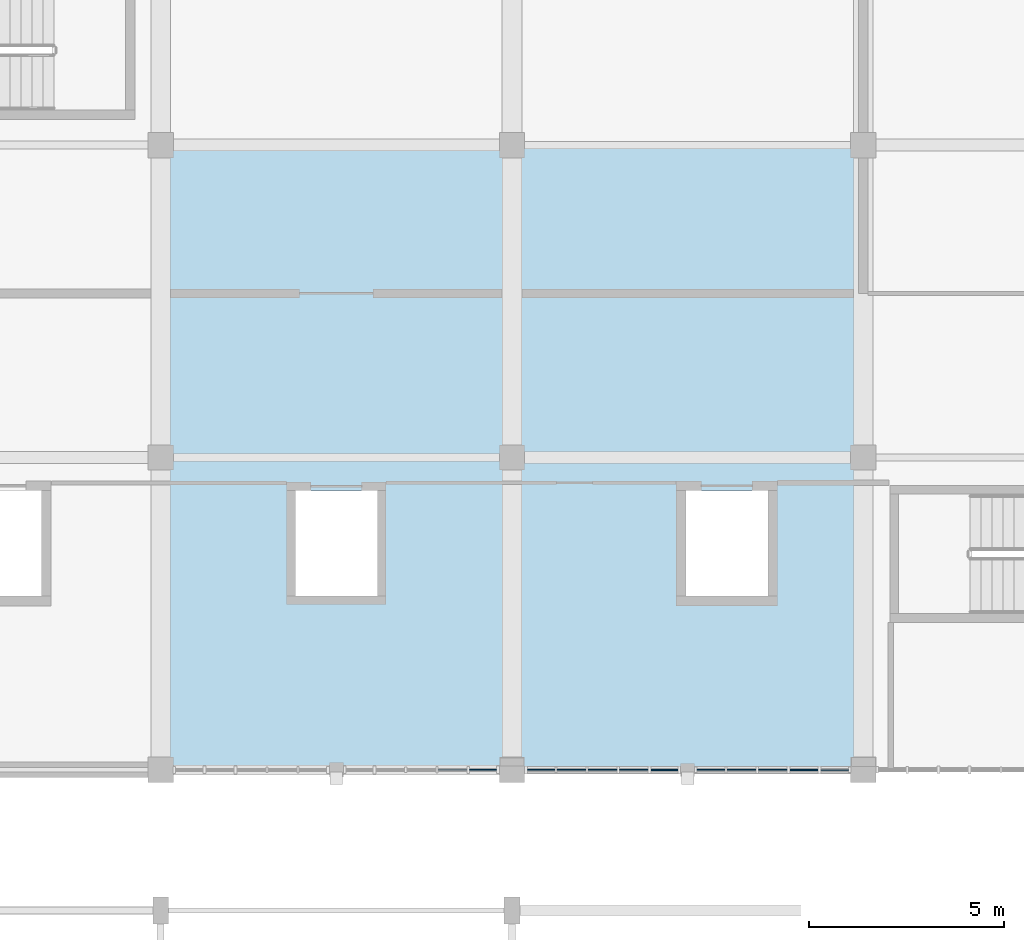
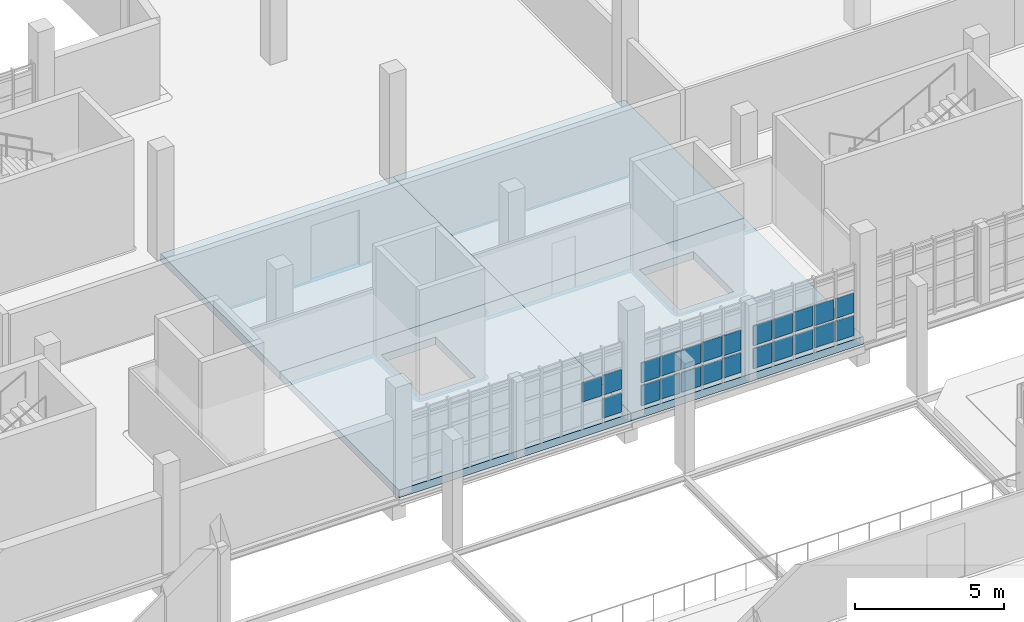
# One storey, part 80 of 125: 23 plates, 4 slabs, 3 elements without a shape of their own.
"""IFC4 building model written with IfcOpenShell, lengths in metres."""

import ifcopenshell
import ifcopenshell.guid

model = None  # the IFC model being written
_history = None  # IfcOwnerHistory: only IFC2X3 demands one
_inside = {}  # id of a spatial element -> (the spatial element, [elements in it])
_under = {}  # id of a project, library or spatial element -> (it, [spatial elements below it])
_declared = {}  # id of a project -> (the project, [libraries it declares])
_typed = {}  # id of a type object -> (the type object, [elements of that type])
_made_of = {}  # id of a material, layer set ... -> (it, [elements and type objects made of it])


def new_model(schema):
    """Start an empty IFC model of exactly this schema.

    Asked for "IFC4X3", IfcOpenShell would pick the latest addendum, in which some entities
    have other attributes; the version numbers below select the first issue.
    IFC2X3 requires an IfcOwnerHistory on every rooted entity: one is made here for all.
    """
    global model, _history
    if schema == "IFC4X3":
        model = ifcopenshell.file(schema_version=(4, 3, 0, 0))
    else:
        model = ifcopenshell.file(schema=schema)
    _inside.clear()
    _under.clear()
    _declared.clear()
    _typed.clear()
    _made_of.clear()
    _history = None
    if model.schema == "IFC2X3":
        org = make("IfcOrganization", Name="unknown")
        user = make(
            "IfcPersonAndOrganization",
            ThePerson=make("IfcPerson", FamilyName="unknown"),
            TheOrganization=org,
        )
        app = make(
            "IfcApplication",
            ApplicationDeveloper=org,
            Version="unknown",
            ApplicationFullName="unknown",
            ApplicationIdentifier="unknown",
        )
        _history = make(
            "IfcOwnerHistory",
            OwningUser=user,
            OwningApplication=app,
            ChangeAction="ADDED",
            CreationDate=0,
        )
    return model


def make(cls, **values):
    """One entity of the class cls with the attributes given. An attribute that is None is left unset."""
    return model.create_entity(
        cls, **{name: value for name, value in values.items() if value is not None}
    )


def rooted(cls, **values):
    """An entity with a GlobalId (a new one), such as an element, a storey or a relation."""
    return make(cls, GlobalId=ifcopenshell.guid.new(), OwnerHistory=_history, **values)


def si_unit(unit_type, name, prefix=None):
    """IfcSIUnit, for example si_unit("LENGTHUNIT", "METRE", prefix="MILLI")."""
    return make("IfcSIUnit", UnitType=unit_type, Prefix=prefix, Name=name)


def assignment(units):
    """IfcUnitAssignment: the units of a project."""
    return None if units is None else make("IfcUnitAssignment", Units=units)


def point(xyz):
    """IfcCartesianPoint."""
    return None if xyz is None else make("IfcCartesianPoint", Coordinates=xyz)


def direction(xyz):
    """IfcDirection."""
    return None if xyz is None else make("IfcDirection", DirectionRatios=xyz)


def frame(location, z_axis=None, x_axis=None):
    """IfcAxis2Placement3D, a coordinate frame: its origin and axes. An axis left out is left unset."""
    return make(
        "IfcAxis2Placement3D",
        Location=point(location),
        Axis=direction(z_axis),
        RefDirection=direction(x_axis),
    )


def frame_2d(location, x_axis=None):
    """IfcAxis2Placement2D, a coordinate frame in the plane: its origin and x axis."""
    return make(
        "IfcAxis2Placement2D", Location=point(location), RefDirection=direction(x_axis)
    )


def origin():
    """The frame at (0, 0, 0) with its axes left unset."""
    return frame((0.0, 0.0, 0.0))


def origin_2d():
    """The frame at (0, 0) in the plane with its x axis left unset."""
    return frame_2d((0.0, 0.0))


def place(relative_to, where):
    """IfcLocalPlacement: puts the frame where relative to a parent placement (None: the world)."""
    return make(
        "IfcLocalPlacement", PlacementRelTo=relative_to, RelativePlacement=where
    )


def context(
    kind, dimensions, precision=None, world=None, true_north=None, identifier=None
):
    """IfcGeometricRepresentationContext, for example the 3D "Model" context."""
    return make(
        "IfcGeometricRepresentationContext",
        ContextIdentifier=identifier,
        ContextType=kind,
        CoordinateSpaceDimension=dimensions,
        Precision=precision,
        WorldCoordinateSystem=world,
        TrueNorth=true_north,
    )


def subcontext(parent, identifier, kind, view, scale=None):
    """IfcGeometricRepresentationSubContext, for example "Body" below "Model"."""
    return make(
        "IfcGeometricRepresentationSubContext",
        ContextIdentifier=identifier,
        ContextType=kind,
        ParentContext=parent,
        TargetScale=scale,
        TargetView=view,
    )


def project(units=None, contexts=None):
    """IfcProject with its units and contexts."""
    return rooted(
        "IfcProject",
        Name="project",
        RepresentationContexts=contexts,
        UnitsInContext=assignment(units),
    )


def spatial(cls, under=None, at=None, **own):
    """A site, building, storey or space (cls), placed at a placement, below another one or the project."""
    s = rooted(cls, ObjectPlacement=at, **own)
    if under is not None:
        _under.setdefault(under.id(), (under, []))[1].append(s)
    return s


def polyline(points):
    """IfcPolyline through the points."""
    return make("IfcPolyline", Points=[point(p) for p in points])


def profile(cls, at=None, kind="AREA", **sizes):
    """A parametric profile (cls). Its sizes go by their IFC names, for example OverallWidth=200.0."""
    return make(cls, ProfileType=kind, Position=at, **sizes)


def rectangle(**sizes):
    """IfcRectangleProfileDef."""
    return profile("IfcRectangleProfileDef", **sizes)


def outline(outer, holes=None, kind="AREA"):
    """IfcArbitraryClosedProfileDef: a profile drawn as a closed curve; with holes, ...WithVoids."""
    if holes is None:
        return make("IfcArbitraryClosedProfileDef", ProfileType=kind, OuterCurve=outer)
    return make(
        "IfcArbitraryProfileDefWithVoids",
        ProfileType=kind,
        OuterCurve=outer,
        InnerCurves=holes,
    )


def extrude(swept, where, along, depth):
    """IfcExtrudedAreaSolid: the profile swept, set in the frame where, extruded along a direction by depth."""
    return make(
        "IfcExtrudedAreaSolid",
        SweptArea=swept,
        Position=where,
        ExtrudedDirection=direction(along),
        Depth=depth,
    )


def shape(context_of_items, identifier, shape_type, items):
    """IfcShapeRepresentation: the items that make up one representation, for example the "Body"."""
    return make(
        "IfcShapeRepresentation",
        ContextOfItems=context_of_items,
        RepresentationIdentifier=identifier,
        RepresentationType=shape_type,
        Items=items,
    )


def material(Name=None, Category=None):
    """IfcMaterial."""
    return make("IfcMaterial", Name=Name, Category=Category)


def layer(
    of_material, thickness, ventilated=None, Name=None, Category=None, Priority=None
):
    """IfcMaterialLayer: one layer of a wall or slab, of a material (None: an air gap)."""
    return make(
        "IfcMaterialLayer",
        Material=of_material,
        LayerThickness=thickness,
        IsVentilated=ventilated,
        Name=Name,
        Category=Category,
        Priority=Priority,
    )


def layer_set(layers, Name=None):
    """IfcMaterialLayerSet."""
    return make("IfcMaterialLayerSet", MaterialLayers=layers, LayerSetName=Name)


def made_of(thing, what):
    """Note that an element or type object is made of a material, layer set ...; save() writes the relation."""
    if what is not None:
        _made_of.setdefault(what.id(), (what, []))[1].append(thing)
    return thing


def type_object(cls, material=None, **own):
    """A type object (cls), such as IfcWallType, which elements share."""
    return made_of(rooted(cls, **own), material)


def element(
    cls,
    number,
    at=None,
    inside=None,
    cuts=None,
    type_object=None,
    material=None,
    context=None,
    identifier="Body",
    shape_type=None,
    held_by="IfcProductDefinitionShape",
    body=None,
    shapes=None,
    **own,
):
    """One element of the class cls, such as IfcWall. Its Tag is "e" and its number.

    at: its placement. inside: the storey or other place that contains it. cuts: it is an
    opening in that element (IfcRelVoidsElement). A single representation is given by context,
    identifier, shape_type and body (its items); several are given by shapes. held_by: the class
    of the entity that holds the representations. save() writes the other relations.
    """
    e = rooted(cls, Tag="e%d" % number, ObjectPlacement=at, **own)
    if body is not None:
        shapes = [shape(context, identifier, shape_type, body)]
    if shapes is not None:
        e.Representation = make(held_by, Representations=shapes)
    if inside is not None:
        _inside.setdefault(inside.id(), (inside, []))[1].append(e)
    if cuts is not None:
        rooted(
            "IfcRelVoidsElement", RelatingBuildingElement=cuts, RelatedOpeningElement=e
        )
    if type_object is not None:
        _typed.setdefault(type_object.id(), (type_object, []))[1].append(e)
    return made_of(e, material)


def aggregate(whole, parts):
    """IfcRelAggregates: a whole, such as a stair, and the parts it consists of."""
    return rooted("IfcRelAggregates", RelatingObject=whole, RelatedObjects=parts)


def save(model, path):
    """Write the relations noted so far, then the file.

    IfcRelAggregates (storeys below a building ...), IfcRelContainedInSpatialStructure (elements
    in a storey), IfcRelDefinesByType, IfcRelAssociatesMaterial and IfcRelDeclares: one each for
    every whole, place, type object, material and project.
    """
    for whole, parts in _under.values():
        aggregate(whole, parts)
    for where, things in _inside.values():
        rooted(
            "IfcRelContainedInSpatialStructure",
            RelatedElements=things,
            RelatingStructure=where,
        )
    for kind, things in _typed.values():
        rooted("IfcRelDefinesByType", RelatedObjects=things, RelatingType=kind)
    for what, things in _made_of.values():
        rooted("IfcRelAssociatesMaterial", RelatedObjects=things, RelatingMaterial=what)
    for by, libraries in _declared.values():
        rooted("IfcRelDeclares", RelatingContext=by, RelatedDefinitions=libraries)
    model.write(path)


model = new_model("IFC4")

# Units and contexts
model_context = context("Model", 3, precision=1e-05, world=origin(), true_north=direction((0.0, 1.0)))
body_context = subcontext(model_context, "Body", "Model", "MODEL_VIEW")
ifc_project = project(units=[si_unit("LENGTHUNIT", "METRE"), si_unit("AREAUNIT", "SQUARE_METRE"), si_unit("VOLUMEUNIT", "CUBIC_METRE"), si_unit("PLANEANGLEUNIT", "RADIAN"), si_unit("MASSUNIT", "GRAM", prefix="KILO")], contexts=[model_context])

# Site, building, storey
site_placement = place(None, origin())
site = spatial("IfcSite", under=ifc_project, at=site_placement, CompositionType="ELEMENT")
building_placement = place(site_placement, origin())
building = spatial("IfcBuilding", under=site, at=building_placement, Name="Serraforn Aerial Cableway Station", CompositionType="ELEMENT")
storey_placement = place(building_placement, frame((0.0, 0.0, 4.5)))
storey = spatial("IfcBuildingStorey", under=building, at=storey_placement, Name="L01", CompositionType="ELEMENT", Elevation=4.5)

# Curtain wall, plates
ifc_material_1 = material(Name="Anodised bronze unitised curtain wall")
curtain_wall_type_1 = type_object("IfcCurtainWallType", Name="CW-SYS-23", PredefinedType="USERDEFINED", material=ifc_material_1)
curtain_wall_1_placement = place(storey_placement, origin())
curtain_wall_1 = element("IfcCurtainWall", 1, at=curtain_wall_1_placement, inside=storey, type_object=curtain_wall_type_1, Name="Unitised Curtain Wall CW-CV-L01-S4A", ObjectType="UNITISED CURTAIN WALL", PredefinedType="USERDEFINED")
ifc_material_2 = material(Name="Solar-control low-E double glazing", Category="glass")
ifc_layer_1 = layer(ifc_material_2, 0.02587890625)
ifc_layer_set_1 = layer_set([ifc_layer_1], Name="Solar-control low-E double glazing")
plate_type_1 = type_object("IfcPlateType", Name="CW-GLZ-1", PredefinedType="CURTAIN_PANEL", material=ifc_layer_set_1)
plate_1_placement = place(storey_placement, frame((55.346435546875, 18.0, 1.118896484375), z_axis=(0.0, 0.0, 1.0), x_axis=(1.0, 0.0, 0.0)))
plate_1 = element("IfcPlate", 2, at=plate_1_placement, type_object=plate_type_1, Name="Curtain Wall Panel CW-CV-L01-S4A-P1-2", PredefinedType="CURTAIN_PANEL", context=body_context, shape_type="SweptSolid", body=[
    extrude(rectangle(XDim=0.700927734375, YDim=0.02587890625, at=origin_2d()), origin(), (0.0, 0.0, 1.0), 0.8125),
])
plate_2_placement = place(storey_placement, frame((56.120849609375, 18.0, 0.182861328125), z_axis=(0.0, 0.0, 1.0), x_axis=(1.0, 0.0, 0.0)))
plate_2 = element("IfcPlate", 3, at=plate_2_placement, type_object=plate_type_1, Name="Curtain Wall Panel CW-CV-L01-S4A-P2-1", PredefinedType="CURTAIN_PANEL", context=body_context, shape_type="SweptSolid", body=[
    extrude(rectangle(XDim=0.745849609375, YDim=0.02587890625, at=origin_2d()), origin(), (0.0, 0.0, 1.0), 0.8125),
])

# Curtain wall, plate
curtain_wall_type_2 = type_object("IfcCurtainWallType", Name="CW-SYS-24", PredefinedType="USERDEFINED", material=ifc_material_1)
curtain_wall_2_placement = place(storey_placement, origin())
curtain_wall_2 = element("IfcCurtainWall", 4, at=curtain_wall_2_placement, inside=storey, type_object=curtain_wall_type_2, Name="Unitised Curtain Wall CW-CV-L01-S4B", ObjectType="UNITISED CURTAIN WALL", PredefinedType="USERDEFINED")
plate_3_placement = place(storey_placement, frame((59.692138671875, 18.0, 0.182861328125), z_axis=(0.0, 0.0, 1.0), x_axis=(1.0, 0.0, 0.0)))
plate_3 = element("IfcPlate", 5, at=plate_3_placement, type_object=plate_type_1, Name="Curtain Wall Panel CW-CV-L01-S4B-P1-1", PredefinedType="CURTAIN_PANEL", context=body_context, shape_type="SweptSolid", body=[
    extrude(rectangle(XDim=0.718505859375, YDim=0.02587890625, at=origin_2d()), origin(), (0.0, 0.0, 1.0), 0.8125),
])

# Plate
ifc_layer_2 = layer(ifc_material_2, 0.028076171875)
ifc_layer_set_2 = layer_set([ifc_layer_2], Name="Solar-control low-E double glazing")
plate_type_2 = type_object("IfcPlateType", Name="CW-GLZ-2", PredefinedType="CURTAIN_PANEL", material=ifc_layer_set_2)
plate_4_placement = place(storey_placement, frame((56.120849609375, 18.0, 1.12646484375), z_axis=(0.0, 0.0, 1.0), x_axis=(1.0, 0.0, 0.0)))
plate_4 = element("IfcPlate", 6, at=plate_4_placement, type_object=plate_type_2, Name="Curtain Wall Panel CW-CV-L01-S4A-P2-2", PredefinedType="CURTAIN_PANEL", context=body_context, shape_type="SweptSolid", body=[
    extrude(rectangle(XDim=0.745849609375, YDim=0.028076171875, at=origin_2d()), origin(), (0.0, 0.0, 1.0), 0.797607421875),
])

plate_5_placement = place(storey_placement, frame((56.92041015625, 18.0, 0.1904296875), z_axis=(0.0, 0.0, 1.0), x_axis=(1.0, 0.0, 0.0)))
plate_5 = element("IfcPlate", 7, at=plate_5_placement, type_object=plate_type_2, Name="Curtain Wall Panel CW-CV-L01-S4A-P3-1", PredefinedType="CURTAIN_PANEL", context=body_context, shape_type="SweptSolid", body=[
    extrude(rectangle(XDim=0.740966796875, YDim=0.028076171875, at=origin_2d()), origin(), (0.0, 0.0, 1.0), 0.797607421875),
])

plate_6_placement = place(storey_placement, frame((59.692138671875, 18.0, 1.12646484375), z_axis=(0.0, 0.0, 1.0), x_axis=(1.0, 0.0, 0.0)))
plate_6 = element("IfcPlate", 8, at=plate_6_placement, type_object=plate_type_2, Name="Curtain Wall Panel CW-CV-L01-S4B-P1-2", PredefinedType="CURTAIN_PANEL", context=body_context, shape_type="SweptSolid", body=[
    extrude(rectangle(XDim=0.718505859375, YDim=0.028076171875, at=origin_2d()), origin(), (0.0, 0.0, 1.0), 0.797607421875),
])

plate_7_placement = place(storey_placement, frame((60.477783203125, 18.0, 0.1904296875), z_axis=(0.0, 0.0, 1.0), x_axis=(1.0, 0.0, 0.0)))
plate_7 = element("IfcPlate", 9, at=plate_7_placement, type_object=plate_type_2, Name="Curtain Wall Panel CW-CV-L01-S4B-P2-1", PredefinedType="CURTAIN_PANEL", context=body_context, shape_type="SweptSolid", body=[
    extrude(rectangle(XDim=0.740966796875, YDim=0.028076171875, at=origin_2d()), origin(), (0.0, 0.0, 1.0), 0.797607421875),
])

# Curtain wall, plates
curtain_wall_type_3 = type_object("IfcCurtainWallType", Name="CW-SYS-22", PredefinedType="USERDEFINED", material=ifc_material_1)
curtain_wall_3_placement = place(storey_placement, origin())
curtain_wall_3 = element("IfcCurtainWall", 10, at=curtain_wall_3_placement, inside=storey, type_object=curtain_wall_type_3, Name="Unitised Curtain Wall CW-CV-L01-S3B", ObjectType="UNITISED CURTAIN WALL", PredefinedType="USERDEFINED")
ifc_layer_3 = layer(ifc_material_2, 0.030029296875)
ifc_layer_set_3 = layer_set([ifc_layer_3], Name="Solar-control low-E double glazing")
plate_type_3 = type_object("IfcPlateType", Name="CW-GLZ-3", PredefinedType="CURTAIN_PANEL", material=ifc_layer_set_3)
plate_8_placement = place(storey_placement, frame((53.07666015625, 18.0, 1.1337890625), z_axis=(0.0, 0.0, 1.0), x_axis=(1.0, 0.0, 0.0)))
plate_8 = element("IfcPlate", 11, at=plate_8_placement, type_object=plate_type_3, Name="Curtain Wall Panel CW-CV-L01-S3B-P4-2", PredefinedType="CURTAIN_PANEL", context=body_context, shape_type="SweptSolid", body=[
    extrude(rectangle(XDim=0.740966796875, YDim=0.030029296875, at=origin_2d()), origin(), (0.0, 0.0, 1.0), 0.782470703125),
])
plate_9_placement = place(storey_placement, frame((53.858642578125, 18.0, 0.19775390625), z_axis=(0.0, 0.0, 1.0), x_axis=(1.0, 0.0, 0.0)))
plate_9 = element("IfcPlate", 12, at=plate_9_placement, type_object=plate_type_3, Name="Curtain Wall Panel CW-CV-L01-S3B-P5-1", PredefinedType="CURTAIN_PANEL", context=body_context, shape_type="SweptSolid", body=[
    extrude(rectangle(XDim=0.700927734375, YDim=0.030029296875, at=origin_2d()), origin(), (0.0, 0.0, 1.0), 0.782470703125),
])

# Plate
plate_10_placement = place(storey_placement, frame((56.92041015625, 18.0, 1.1337890625), z_axis=(0.0, 0.0, 1.0), x_axis=(1.0, 0.0, 0.0)))
plate_10 = element("IfcPlate", 13, at=plate_10_placement, type_object=plate_type_3, Name="Curtain Wall Panel CW-CV-L01-S4A-P3-2", PredefinedType="CURTAIN_PANEL", context=body_context, shape_type="SweptSolid", body=[
    extrude(rectangle(XDim=0.740966796875, YDim=0.030029296875, at=origin_2d()), origin(), (0.0, 0.0, 1.0), 0.782470703125),
])

plate_11_placement = place(storey_placement, frame((57.7197265625, 18.0, 0.19775390625), z_axis=(0.0, 0.0, 1.0), x_axis=(1.0, 0.0, 0.0)))
plate_11 = element("IfcPlate", 14, at=plate_11_placement, type_object=plate_type_3, Name="Curtain Wall Panel CW-CV-L01-S4A-P4-1", PredefinedType="CURTAIN_PANEL", context=body_context, shape_type="SweptSolid", body=[
    extrude(rectangle(XDim=0.73583984375, YDim=0.030029296875, at=origin_2d()), origin(), (0.0, 0.0, 1.0), 0.782470703125),
])

plate_12_placement = place(storey_placement, frame((60.477783203125, 18.0, 1.1337890625), z_axis=(0.0, 0.0, 1.0), x_axis=(1.0, 0.0, 0.0)))
plate_12 = element("IfcPlate", 15, at=plate_12_placement, type_object=plate_type_3, Name="Curtain Wall Panel CW-CV-L01-S4B-P2-2", PredefinedType="CURTAIN_PANEL", context=body_context, shape_type="SweptSolid", body=[
    extrude(rectangle(XDim=0.740966796875, YDim=0.030029296875, at=origin_2d()), origin(), (0.0, 0.0, 1.0), 0.782470703125),
])

plate_13_placement = place(storey_placement, frame((61.27734375, 18.0, 0.19775390625), z_axis=(0.0, 0.0, 1.0), x_axis=(1.0, 0.0, 0.0)))
plate_13 = element("IfcPlate", 16, at=plate_13_placement, type_object=plate_type_3, Name="Curtain Wall Panel CW-CV-L01-S4B-P3-1", PredefinedType="CURTAIN_PANEL", context=body_context, shape_type="SweptSolid", body=[
    extrude(rectangle(XDim=0.73583984375, YDim=0.030029296875, at=origin_2d()), origin(), (0.0, 0.0, 1.0), 0.782470703125),
])

ifc_layer_4 = layer(ifc_material_2, 0.031982421875)
ifc_layer_set_4 = layer_set([ifc_layer_4], Name="Solar-control low-E double glazing")
plate_type_4 = type_object("IfcPlateType", Name="CW-GLZ-4", PredefinedType="CURTAIN_PANEL", material=ifc_layer_set_4)
plate_14_placement = place(storey_placement, frame((53.858642578125, 18.0, 1.14111328125), z_axis=(0.0, 0.0, 1.0), x_axis=(1.0, 0.0, 0.0)))
plate_14 = element("IfcPlate", 17, at=plate_14_placement, type_object=plate_type_4, Name="Curtain Wall Panel CW-CV-L01-S3B-P5-2", PredefinedType="CURTAIN_PANEL", context=body_context, shape_type="SweptSolid", body=[
    extrude(rectangle(XDim=0.700927734375, YDim=0.031982421875, at=origin_2d()), origin(), (0.0, 0.0, 1.0), 0.802490234375),
])

aggregate(curtain_wall_3, [plate_8, plate_9, plate_14])

plate_15_placement = place(storey_placement, frame((57.7197265625, 18.0, 1.14111328125), z_axis=(0.0, 0.0, 1.0), x_axis=(1.0, 0.0, 0.0)))
plate_15 = element("IfcPlate", 18, at=plate_15_placement, type_object=plate_type_4, Name="Curtain Wall Panel CW-CV-L01-S4A-P4-2", PredefinedType="CURTAIN_PANEL", context=body_context, shape_type="SweptSolid", body=[
    extrude(rectangle(XDim=0.73583984375, YDim=0.031982421875, at=origin_2d()), origin(), (0.0, 0.0, 1.0), 0.802490234375),
])

plate_16_placement = place(storey_placement, frame((58.500244140625, 18.0, 0.20556640625), z_axis=(0.0, 0.0, 1.0), x_axis=(1.0, 0.0, 0.0)))
plate_16 = element("IfcPlate", 19, at=plate_16_placement, type_object=plate_type_4, Name="Curtain Wall Panel CW-CV-L01-S4A-P5-1", PredefinedType="CURTAIN_PANEL", context=body_context, shape_type="SweptSolid", body=[
    extrude(rectangle(XDim=0.693359375, YDim=0.031982421875, at=origin_2d()), origin(), (0.0, 0.0, 1.0), 0.802490234375),
])

plate_17_placement = place(storey_placement, frame((61.27734375, 18.0, 1.14111328125), z_axis=(0.0, 0.0, 1.0), x_axis=(1.0, 0.0, 0.0)))
plate_17 = element("IfcPlate", 20, at=plate_17_placement, type_object=plate_type_4, Name="Curtain Wall Panel CW-CV-L01-S4B-P3-2", PredefinedType="CURTAIN_PANEL", context=body_context, shape_type="SweptSolid", body=[
    extrude(rectangle(XDim=0.73583984375, YDim=0.031982421875, at=origin_2d()), origin(), (0.0, 0.0, 1.0), 0.802490234375),
])

plate_18_placement = place(storey_placement, frame((62.07666015625, 18.0, 0.20556640625), z_axis=(0.0, 0.0, 1.0), x_axis=(1.0, 0.0, 0.0)))
plate_18 = element("IfcPlate", 21, at=plate_18_placement, type_object=plate_type_4, Name="Curtain Wall Panel CW-CV-L01-S4B-P4-1", PredefinedType="CURTAIN_PANEL", context=body_context, shape_type="SweptSolid", body=[
    extrude(rectangle(XDim=0.73095703125, YDim=0.031982421875, at=origin_2d()), origin(), (0.0, 0.0, 1.0), 0.802490234375),
])

ifc_layer_5 = layer(ifc_material_2, 0.033935546875)
ifc_layer_set_5 = layer_set([ifc_layer_5], Name="Solar-control low-E double glazing")
plate_type_5 = type_object("IfcPlateType", Name="CW-GLZ-5", PredefinedType="CURTAIN_PANEL", material=ifc_layer_set_5)
plate_19_placement = place(storey_placement, frame((58.500244140625, 18.0, 1.11376953125), z_axis=(0.0, 0.0, 1.0), x_axis=(1.0, 0.0, 0.0)))
plate_19 = element("IfcPlate", 22, at=plate_19_placement, type_object=plate_type_5, Name="Curtain Wall Panel CW-CV-L01-S4A-P5-2", PredefinedType="CURTAIN_PANEL", context=body_context, shape_type="SweptSolid", body=[
    extrude(rectangle(XDim=0.693359375, YDim=0.033935546875, at=origin_2d()), origin(), (0.0, 0.0, 1.0), 0.824951171875),
])

plate_20_placement = place(storey_placement, frame((62.07666015625, 18.0, 1.11376953125), z_axis=(0.0, 0.0, 1.0), x_axis=(1.0, 0.0, 0.0)))
plate_20 = element("IfcPlate", 23, at=plate_20_placement, type_object=plate_type_5, Name="Curtain Wall Panel CW-CV-L01-S4B-P4-2", PredefinedType="CURTAIN_PANEL", context=body_context, shape_type="SweptSolid", body=[
    extrude(rectangle(XDim=0.73095703125, YDim=0.033935546875, at=origin_2d()), origin(), (0.0, 0.0, 1.0), 0.824951171875),
])

plate_21_placement = place(storey_placement, frame((62.868408203125, 18.0, 0.177734375), z_axis=(0.0, 0.0, 1.0), x_axis=(1.0, 0.0, 0.0)))
plate_21 = element("IfcPlate", 24, at=plate_21_placement, type_object=plate_type_5, Name="Curtain Wall Panel CW-CV-L01-S4B-P5-1", PredefinedType="CURTAIN_PANEL", context=body_context, shape_type="SweptSolid", body=[
    extrude(rectangle(XDim=0.7109375, YDim=0.033935546875, at=origin_2d()), origin(), (0.0, 0.0, 1.0), 0.824951171875),
])

ifc_layer_6 = layer(ifc_material_2, 0.035888671875)
ifc_layer_set_6 = layer_set([ifc_layer_6], Name="Solar-control low-E double glazing")
plate_type_6 = type_object("IfcPlateType", Name="CW-GLZ-6", PredefinedType="CURTAIN_PANEL", material=ifc_layer_set_6)
plate_22_placement = place(storey_placement, frame((62.868408203125, 18.0, 1.118896484375), z_axis=(0.0, 0.0, 1.0), x_axis=(1.0, 0.0, 0.0)))
plate_22 = element("IfcPlate", 25, at=plate_22_placement, type_object=plate_type_6, Name="Curtain Wall Panel CW-CV-L01-S4B-P5-2", PredefinedType="CURTAIN_PANEL", context=body_context, shape_type="SweptSolid", body=[
    extrude(rectangle(XDim=0.7109375, YDim=0.035888671875, at=origin_2d()), origin(), (0.0, 0.0, 1.0), 0.8125),
])

aggregate(curtain_wall_2, [plate_3, plate_6, plate_7, plate_12, plate_13, plate_17, plate_18, plate_20, plate_21, plate_22])

ifc_layer_7 = layer(ifc_material_2, 0.031005859375)
ifc_layer_set_7 = layer_set([ifc_layer_7], Name="Solar-control low-E double glazing")
plate_type_7 = type_object("IfcPlateType", Name="CW-GLZ-8", PredefinedType="CURTAIN_PANEL", material=ifc_layer_set_7)
plate_23_placement = place(storey_placement, frame((55.346435546875, 18.0, 0.177734375), z_axis=(0.0, 0.0, 1.0), x_axis=(1.0, 0.0, 0.0)))
plate_23 = element("IfcPlate", 26, at=plate_23_placement, type_object=plate_type_7, Name="Curtain Wall Panel CW-CV-L01-S4A-P1-1", PredefinedType="CURTAIN_PANEL", context=body_context, shape_type="SweptSolid", body=[
    extrude(rectangle(XDim=0.700927734375, YDim=0.031005859375, at=origin_2d()), origin(), (0.0, 0.0, 1.0), 0.824951171875),
])

aggregate(curtain_wall_1, [plate_23, plate_1, plate_2, plate_4, plate_5, plate_10, plate_11, plate_15, plate_16, plate_19])

# Slabs
ifc_material_3 = material(Name="Concrete C35/45", Category="concrete")
ifc_layer_8 = layer(ifc_material_3, 0.31494140625)
ifc_layer_set_8 = layer_set([ifc_layer_8], Name="Concrete C35/45")
slab_type = type_object("IfcSlabType", Name="SLB-FLR-315", PredefinedType="FLOOR", material=ifc_layer_set_8)
slab_1_placement = place(storey_placement, frame((0.0, 0.0, -0.31494140625)))
element("IfcSlab", 27, at=slab_1_placement, inside=storey, type_object=slab_type, Name="Floor Slab CV-L01-3-1", PredefinedType="FLOOR", context=body_context, shape_type="SweptSolid", body=[
    extrude(outline(polyline([(45.60009765625, 18.0), (54.60009765625, 18.0), (54.60009765625, 26.0), (45.60009765625, 26.0), (45.60009765625, 18.0)]), holes=[polyline([(49.050048828125, 22.449951171875), (51.14990234375, 22.449951171875), (51.14990234375, 25.14990234375), (49.050048828125, 25.14990234375), (49.050048828125, 22.449951171875)])]), origin(), (0.0, 0.0, 1.0), 0.31494140625),
])
slab_2_placement = place(storey_placement, frame((0.0, 0.0, -0.31494140625)))
element("IfcSlab", 28, at=slab_2_placement, inside=storey, type_object=slab_type, Name="Floor Slab CV-L01-3-2", PredefinedType="FLOOR", context=body_context, shape_type="SweptSolid", body=[
    extrude(outline(polyline([(45.60009765625, 26.0), (54.60009765625, 26.0), (54.60009765625, 34.0), (45.60009765625, 34.0), (45.60009765625, 26.0)])), origin(), (0.0, 0.0, 1.0), 0.31494140625),
])
slab_3_placement = place(storey_placement, frame((0.0, 0.0, -0.31494140625)))
element("IfcSlab", 29, at=slab_3_placement, inside=storey, type_object=slab_type, Name="Floor Slab CV-L01-4-1", PredefinedType="FLOOR", context=body_context, shape_type="SweptSolid", body=[
    extrude(outline(polyline([(54.60009765625, 18.0), (63.60009765625, 18.0), (63.60009765625, 26.0), (54.60009765625, 26.0), (54.60009765625, 18.0)]), holes=[polyline([(59.050048828125, 22.449951171875), (61.14990234375, 22.449951171875), (61.14990234375, 25.14990234375), (59.050048828125, 25.14990234375), (59.050048828125, 22.449951171875)])]), origin(), (0.0, 0.0, 1.0), 0.31494140625),
])
slab_4_placement = place(storey_placement, frame((0.0, 0.0, -0.31494140625)))
element("IfcSlab", 30, at=slab_4_placement, inside=storey, type_object=slab_type, Name="Floor Slab CV-L01-4-2", PredefinedType="FLOOR", context=body_context, shape_type="SweptSolid", body=[
    extrude(outline(polyline([(54.60009765625, 26.0), (63.60009765625, 26.0), (63.60009765625, 34.0), (54.60009765625, 34.0), (54.60009765625, 26.0)])), origin(), (0.0, 0.0, 1.0), 0.31494140625),
])

save(model, "model.ifc")
